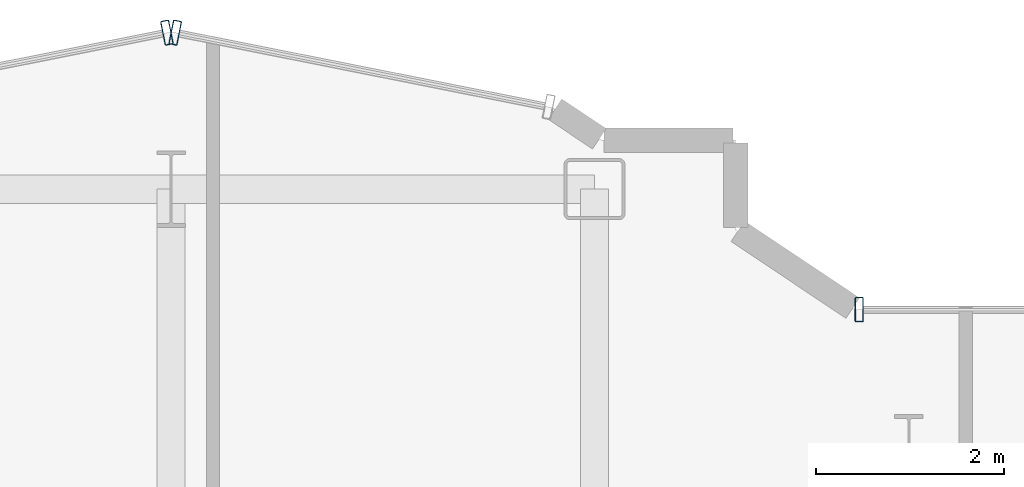
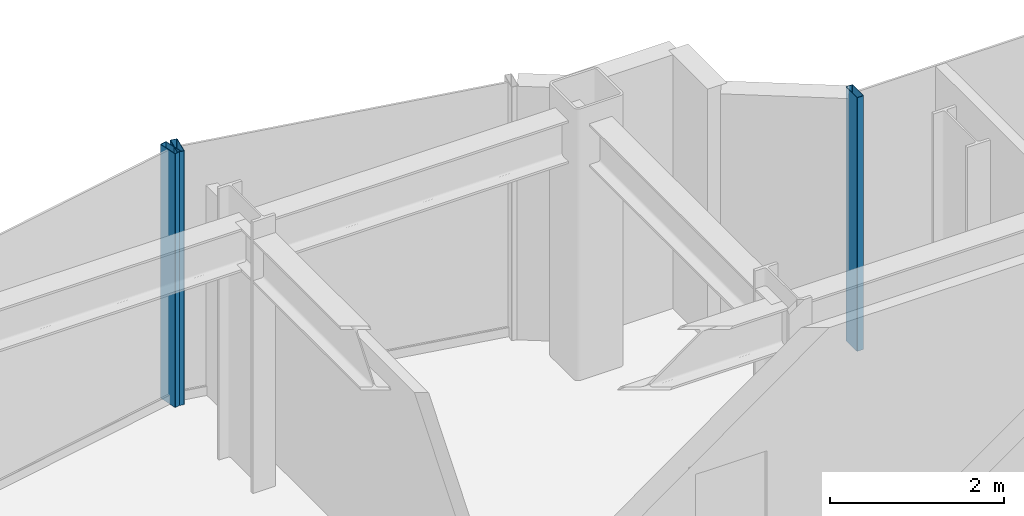
# One storey, part 11 of 21: 3 members, 3 elements without a shape of their own.
"""IFC4 building model written with IfcOpenShell, lengths in metres."""

from ifc_helpers import new_model, si_unit, direction, frame, origin, origin_2d, place, context, subcontext, project, spatial, hollow_rectangle, extrude, source, transform, mapped, material, layer, layer_set, material_profile, profile_set, type_object, element, aggregate, save


model = new_model("IFC4")

# Units and contexts
model_context = context("Model", 3, precision=1e-05, world=origin(), true_north=direction((0.0, 1.0)))
body_context = subcontext(model_context, "Body", "Model", "MODEL_VIEW")
ifc_project = project(units=[si_unit("LENGTHUNIT", "METRE"), si_unit("AREAUNIT", "SQUARE_METRE"), si_unit("VOLUMEUNIT", "CUBIC_METRE"), si_unit("PLANEANGLEUNIT", "RADIAN"), si_unit("MASSUNIT", "GRAM", prefix="KILO")], contexts=[model_context])

# Site, building, storey
site_placement = place(None, origin())
site = spatial("IfcSite", under=ifc_project, at=site_placement, CompositionType="ELEMENT")
building_placement = place(site_placement, origin())
building = spatial("IfcBuilding", under=site, at=building_placement, Name="Nefas-Gora Pilgrimage Tower", CompositionType="ELEMENT")
storey_placement = place(building_placement, frame((0.0, 0.0, 229.39990234375)))
storey = spatial("IfcBuildingStorey", under=building, at=storey_placement, Name="L57", CompositionType="ELEMENT", Elevation=229.39990234375)

# Curtain wall, member
ifc_material_1 = material(Name="Dark ceramic-fritted solar-control aluminium-glass curtain wall", Category="aluminium")
ifc_layer = layer(ifc_material_1, 0.219970703125)
ifc_layer_set = layer_set([ifc_layer], Name="Dark ceramic-fritted solar-control aluminium-glass curtain wall")
curtain_wall_type = type_object("IfcCurtainWallType", Name="CW-SYS-5", PredefinedType="NOTDEFINED", material=ifc_layer_set)
curtain_wall_1_placement = place(storey_placement, origin())
curtain_wall_1 = element("IfcCurtainWall", 1, at=curtain_wall_1_placement, inside=storey, type_object=curtain_wall_type, Name="L57 Unitised Curtain Wall CW5", PredefinedType="NOTDEFINED")
ifc_material_2 = material(Name="Anodised architectural aluminium", Category="aluminium")
ifc_material_profile = material_profile(ifc_material_2, hollow_rectangle(XDim=0.090087890625, YDim=0.260009765625, WallThickness=0.006103515625, InnerFilletRadius=0.006103515625, OuterFilletRadius=0.011962890625, at=origin_2d()), Name="ALU MULLION 90x260")
ifc_profile_set = profile_set([ifc_material_profile], Name="Anodised architectural aluminium")
member_type = type_object("IfcMemberType", Name="CWM-MUL-5", PredefinedType="MULLION", material=ifc_profile_set)
shared_shape = source(origin(), body_context, "Body", "SweptSolid", [
    extrude(hollow_rectangle(XDim=0.090087890625, YDim=0.260009765625, WallThickness=0.006103515625, InnerFilletRadius=0.006103515625, OuterFilletRadius=0.011962890625, at=origin_2d()), origin(), (0.0, 0.0, 1.0), 3.550048828125),
])
member_1_placement = place(storey_placement, frame((5.06298828125, 21.219970703125, 0.0), z_axis=(0.0, 0.0, 1.0), x_axis=(-1.0, 0.0, 0.0)))
member_1 = element("IfcMember", 2, at=member_1_placement, type_object=member_type, Name="CW5 Mullion 2", PredefinedType="MULLION", context=body_context, shape_type="MappedRepresentation", body=[
    mapped(shared_shape, transform((0.0, 0.0, 0.0), x_axis=(1.0, 0.0, 0.0), y_axis=(0.0, 1.0, 0.0), z_axis=(0.0, 0.0, 1.0), scale=1.0)),
])
aggregate(curtain_wall_1, [member_1])

curtain_wall_2_placement = place(storey_placement, origin())
curtain_wall_2 = element("IfcCurtainWall", 3, at=curtain_wall_2_placement, inside=storey, type_object=curtain_wall_type, Name="L57 Unitised Curtain Wall CW5", PredefinedType="NOTDEFINED")
member_2_placement = place(storey_placement, frame((-2.205810546875, 24.16357421875, 0.0), z_axis=(0.0, 0.0, 1.0), x_axis=(-0.980782896852, 0.195102304554, 0.0)))
member_2 = element("IfcMember", 4, at=member_2_placement, type_object=member_type, Name="CW5 Mullion 2", PredefinedType="MULLION", context=body_context, shape_type="MappedRepresentation", body=[
    mapped(shared_shape, transform((0.0, 0.0, 0.0), x_axis=(1.0, 0.0, 0.0), y_axis=(0.0, 1.0, 0.0), z_axis=(0.0, 0.0, 1.0), scale=1.0)),
])
aggregate(curtain_wall_2, [member_2])

curtain_wall_3_placement = place(storey_placement, origin())
curtain_wall_3 = element("IfcCurtainWall", 5, at=curtain_wall_3_placement, inside=storey, type_object=curtain_wall_type, Name="L57 Unitised Curtain Wall CW5", PredefinedType="NOTDEFINED")
member_3_placement = place(storey_placement, frame((-2.294189453125, 24.16357421875, 0.0), z_axis=(0.0, 0.0, 1.0), x_axis=(-0.980782896852, -0.195102304554, 0.0)))
member_3 = element("IfcMember", 6, at=member_3_placement, type_object=member_type, Name="CW5 Mullion 1", PredefinedType="MULLION", context=body_context, shape_type="MappedRepresentation", body=[
    mapped(shared_shape, transform((0.0, 0.0, 0.0), x_axis=(1.0, 0.0, 0.0), y_axis=(0.0, 1.0, 0.0), z_axis=(0.0, 0.0, 1.0), scale=1.0)),
])
aggregate(curtain_wall_3, [member_3])

save(model, "model.ifc")
